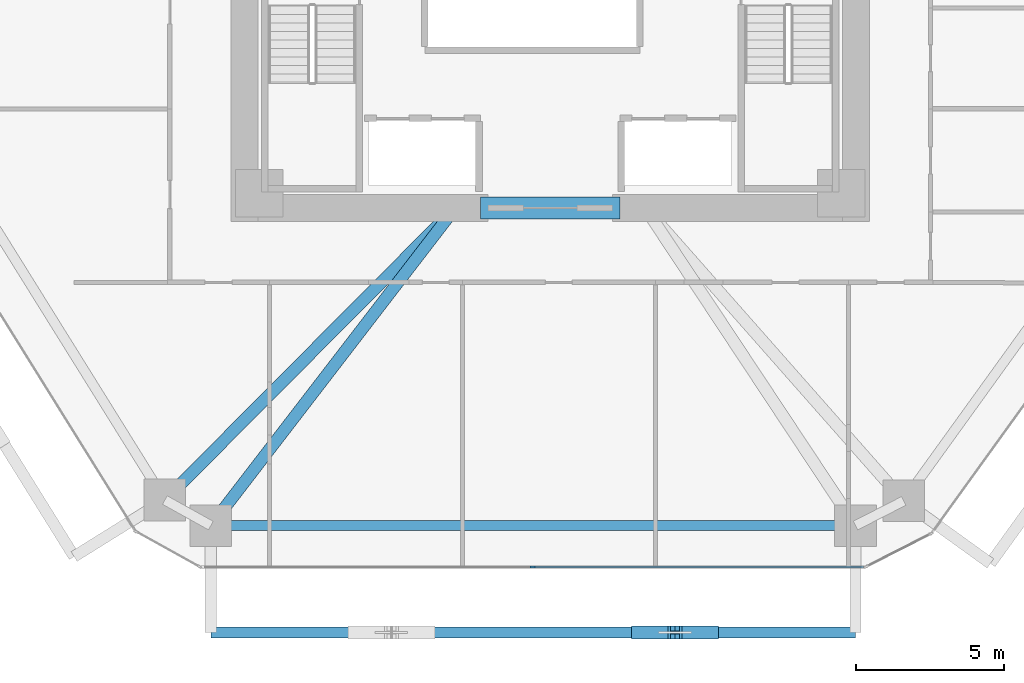
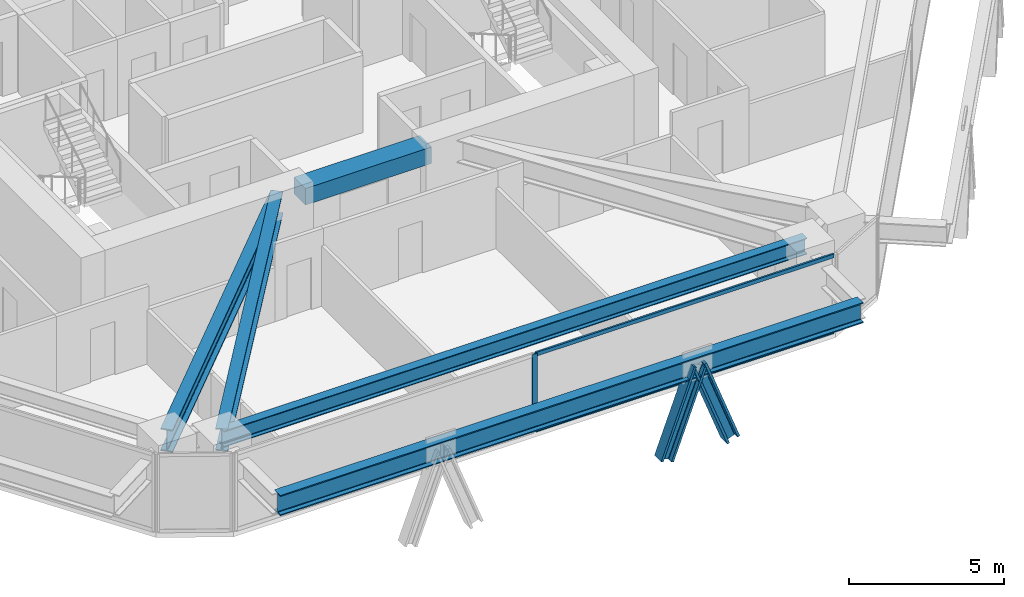
# One storey, part 3 of 17: 5 beams, 5 members, 1 element without a shape of its own.
"""IFC4 building model written with IfcOpenShell, lengths in metres."""

import ifcopenshell
import ifcopenshell.guid

model = None  # the IFC model being written
_history = None  # IfcOwnerHistory: only IFC2X3 demands one
_inside = {}  # id of a spatial element -> (the spatial element, [elements in it])
_under = {}  # id of a project, library or spatial element -> (it, [spatial elements below it])
_declared = {}  # id of a project -> (the project, [libraries it declares])
_typed = {}  # id of a type object -> (the type object, [elements of that type])
_made_of = {}  # id of a material, layer set ... -> (it, [elements and type objects made of it])


def new_model(schema):
    """Start an empty IFC model of exactly this schema.

    Asked for "IFC4X3", IfcOpenShell would pick the latest addendum, in which some entities
    have other attributes; the version numbers below select the first issue.
    IFC2X3 requires an IfcOwnerHistory on every rooted entity: one is made here for all.
    """
    global model, _history
    if schema == "IFC4X3":
        model = ifcopenshell.file(schema_version=(4, 3, 0, 0))
    else:
        model = ifcopenshell.file(schema=schema)
    _inside.clear()
    _under.clear()
    _declared.clear()
    _typed.clear()
    _made_of.clear()
    _history = None
    if model.schema == "IFC2X3":
        org = make("IfcOrganization", Name="unknown")
        user = make(
            "IfcPersonAndOrganization",
            ThePerson=make("IfcPerson", FamilyName="unknown"),
            TheOrganization=org,
        )
        app = make(
            "IfcApplication",
            ApplicationDeveloper=org,
            Version="unknown",
            ApplicationFullName="unknown",
            ApplicationIdentifier="unknown",
        )
        _history = make(
            "IfcOwnerHistory",
            OwningUser=user,
            OwningApplication=app,
            ChangeAction="ADDED",
            CreationDate=0,
        )
    return model


def make(cls, **values):
    """One entity of the class cls with the attributes given. An attribute that is None is left unset."""
    return model.create_entity(
        cls, **{name: value for name, value in values.items() if value is not None}
    )


def rooted(cls, **values):
    """An entity with a GlobalId (a new one), such as an element, a storey or a relation."""
    return make(cls, GlobalId=ifcopenshell.guid.new(), OwnerHistory=_history, **values)


def si_unit(unit_type, name, prefix=None):
    """IfcSIUnit, for example si_unit("LENGTHUNIT", "METRE", prefix="MILLI")."""
    return make("IfcSIUnit", UnitType=unit_type, Prefix=prefix, Name=name)


def assignment(units):
    """IfcUnitAssignment: the units of a project."""
    return None if units is None else make("IfcUnitAssignment", Units=units)


def point(xyz):
    """IfcCartesianPoint."""
    return None if xyz is None else make("IfcCartesianPoint", Coordinates=xyz)


def direction(xyz):
    """IfcDirection."""
    return None if xyz is None else make("IfcDirection", DirectionRatios=xyz)


def frame(location, z_axis=None, x_axis=None):
    """IfcAxis2Placement3D, a coordinate frame: its origin and axes. An axis left out is left unset."""
    return make(
        "IfcAxis2Placement3D",
        Location=point(location),
        Axis=direction(z_axis),
        RefDirection=direction(x_axis),
    )


def frame_2d(location, x_axis=None):
    """IfcAxis2Placement2D, a coordinate frame in the plane: its origin and x axis."""
    return make(
        "IfcAxis2Placement2D", Location=point(location), RefDirection=direction(x_axis)
    )


def origin():
    """The frame at (0, 0, 0) with its axes left unset."""
    return frame((0.0, 0.0, 0.0))


def origin_2d():
    """The frame at (0, 0) in the plane with its x axis left unset."""
    return frame_2d((0.0, 0.0))


def place(relative_to, where):
    """IfcLocalPlacement: puts the frame where relative to a parent placement (None: the world)."""
    return make(
        "IfcLocalPlacement", PlacementRelTo=relative_to, RelativePlacement=where
    )


def context(
    kind, dimensions, precision=None, world=None, true_north=None, identifier=None
):
    """IfcGeometricRepresentationContext, for example the 3D "Model" context."""
    return make(
        "IfcGeometricRepresentationContext",
        ContextIdentifier=identifier,
        ContextType=kind,
        CoordinateSpaceDimension=dimensions,
        Precision=precision,
        WorldCoordinateSystem=world,
        TrueNorth=true_north,
    )


def subcontext(parent, identifier, kind, view, scale=None):
    """IfcGeometricRepresentationSubContext, for example "Body" below "Model"."""
    return make(
        "IfcGeometricRepresentationSubContext",
        ContextIdentifier=identifier,
        ContextType=kind,
        ParentContext=parent,
        TargetScale=scale,
        TargetView=view,
    )


def project(units=None, contexts=None):
    """IfcProject with its units and contexts."""
    return rooted(
        "IfcProject",
        Name="project",
        RepresentationContexts=contexts,
        UnitsInContext=assignment(units),
    )


def spatial(cls, under=None, at=None, **own):
    """A site, building, storey or space (cls), placed at a placement, below another one or the project."""
    s = rooted(cls, ObjectPlacement=at, **own)
    if under is not None:
        _under.setdefault(under.id(), (under, []))[1].append(s)
    return s


def profile(cls, at=None, kind="AREA", **sizes):
    """A parametric profile (cls). Its sizes go by their IFC names, for example OverallWidth=200.0."""
    return make(cls, ProfileType=kind, Position=at, **sizes)


def rectangle(**sizes):
    """IfcRectangleProfileDef."""
    return profile("IfcRectangleProfileDef", **sizes)


def i_section(**sizes):
    """IfcIShapeProfileDef."""
    return profile("IfcIShapeProfileDef", **sizes)


def extrude(swept, where, along, depth):
    """IfcExtrudedAreaSolid: the profile swept, set in the frame where, extruded along a direction by depth."""
    return make(
        "IfcExtrudedAreaSolid",
        SweptArea=swept,
        Position=where,
        ExtrudedDirection=direction(along),
        Depth=depth,
    )


def shape(context_of_items, identifier, shape_type, items):
    """IfcShapeRepresentation: the items that make up one representation, for example the "Body"."""
    return make(
        "IfcShapeRepresentation",
        ContextOfItems=context_of_items,
        RepresentationIdentifier=identifier,
        RepresentationType=shape_type,
        Items=items,
    )


def source(mapping_origin, context_of_items, identifier, shape_type, items):
    """IfcRepresentationMap: a shape defined once, which mapped items show again and again."""
    return make(
        "IfcRepresentationMap",
        MappingOrigin=mapping_origin,
        MappedRepresentation=shape(context_of_items, identifier, shape_type, items),
    )


def transform(
    local_origin,
    x_axis=None,
    y_axis=None,
    z_axis=None,
    scale=None,
    scale2=None,
    scale3=None,
    uniform=True,
):
    """IfcCartesianTransformationOperator3D, or its non-uniform kind. x_axis, y_axis, z_axis: its Axis1, 2, 3."""
    if uniform:
        return make(
            "IfcCartesianTransformationOperator3D",
            Axis1=direction(x_axis),
            Axis2=direction(y_axis),
            LocalOrigin=point(local_origin),
            Scale=scale,
            Axis3=direction(z_axis),
        )
    return make(
        "IfcCartesianTransformationOperator3DnonUniform",
        Axis1=direction(x_axis),
        Axis2=direction(y_axis),
        LocalOrigin=point(local_origin),
        Scale=scale,
        Axis3=direction(z_axis),
        Scale2=scale2,
        Scale3=scale3,
    )


def mapped(mapping_source, mapping_target):
    """IfcMappedItem: shows the shape of a source again, moved by a transform."""
    return make(
        "IfcMappedItem", MappingSource=mapping_source, MappingTarget=mapping_target
    )


def material(Name=None, Category=None):
    """IfcMaterial."""
    return make("IfcMaterial", Name=Name, Category=Category)


def layer(
    of_material, thickness, ventilated=None, Name=None, Category=None, Priority=None
):
    """IfcMaterialLayer: one layer of a wall or slab, of a material (None: an air gap)."""
    return make(
        "IfcMaterialLayer",
        Material=of_material,
        LayerThickness=thickness,
        IsVentilated=ventilated,
        Name=Name,
        Category=Category,
        Priority=Priority,
    )


def layer_set(layers, Name=None):
    """IfcMaterialLayerSet."""
    return make("IfcMaterialLayerSet", MaterialLayers=layers, LayerSetName=Name)


def material_profile(
    of_material, cross_section, Name=None, Category=None, Priority=None
):
    """IfcMaterialProfile: a cross section and its material."""
    return make(
        "IfcMaterialProfile",
        Name=Name,
        Material=of_material,
        Profile=cross_section,
        Priority=Priority,
        Category=Category,
    )


def profile_set(profiles, Name=None, composite=None):
    """IfcMaterialProfileSet."""
    return make(
        "IfcMaterialProfileSet",
        Name=Name,
        MaterialProfiles=profiles,
        CompositeProfile=composite,
    )


def made_of(thing, what):
    """Note that an element or type object is made of a material, layer set ...; save() writes the relation."""
    if what is not None:
        _made_of.setdefault(what.id(), (what, []))[1].append(thing)
    return thing


def type_object(cls, material=None, **own):
    """A type object (cls), such as IfcWallType, which elements share."""
    return made_of(rooted(cls, **own), material)


def type_shapes(of_type, sources):
    """Give a type object the sources (RepresentationMaps) that its elements show as mapped items."""
    of_type.RepresentationMaps = sources


def element(
    cls,
    number,
    at=None,
    inside=None,
    cuts=None,
    type_object=None,
    material=None,
    context=None,
    identifier="Body",
    shape_type=None,
    held_by="IfcProductDefinitionShape",
    body=None,
    shapes=None,
    **own,
):
    """One element of the class cls, such as IfcWall. Its Tag is "e" and its number.

    at: its placement. inside: the storey or other place that contains it. cuts: it is an
    opening in that element (IfcRelVoidsElement). A single representation is given by context,
    identifier, shape_type and body (its items); several are given by shapes. held_by: the class
    of the entity that holds the representations. save() writes the other relations.
    """
    e = rooted(cls, Tag="e%d" % number, ObjectPlacement=at, **own)
    if body is not None:
        shapes = [shape(context, identifier, shape_type, body)]
    if shapes is not None:
        e.Representation = make(held_by, Representations=shapes)
    if inside is not None:
        _inside.setdefault(inside.id(), (inside, []))[1].append(e)
    if cuts is not None:
        rooted(
            "IfcRelVoidsElement", RelatingBuildingElement=cuts, RelatedOpeningElement=e
        )
    if type_object is not None:
        _typed.setdefault(type_object.id(), (type_object, []))[1].append(e)
    return made_of(e, material)


def aggregate(whole, parts):
    """IfcRelAggregates: a whole, such as a stair, and the parts it consists of."""
    return rooted("IfcRelAggregates", RelatingObject=whole, RelatedObjects=parts)


def save(model, path):
    """Write the relations noted so far, then the file.

    IfcRelAggregates (storeys below a building ...), IfcRelContainedInSpatialStructure (elements
    in a storey), IfcRelDefinesByType, IfcRelAssociatesMaterial and IfcRelDeclares: one each for
    every whole, place, type object, material and project.
    """
    for whole, parts in _under.values():
        aggregate(whole, parts)
    for where, things in _inside.values():
        rooted(
            "IfcRelContainedInSpatialStructure",
            RelatedElements=things,
            RelatingStructure=where,
        )
    for kind, things in _typed.values():
        rooted("IfcRelDefinesByType", RelatedObjects=things, RelatingType=kind)
    for what, things in _made_of.values():
        rooted("IfcRelAssociatesMaterial", RelatedObjects=things, RelatingMaterial=what)
    for by, libraries in _declared.values():
        rooted("IfcRelDeclares", RelatingContext=by, RelatedDefinitions=libraries)
    model.write(path)


model = new_model("IFC4")

# Units and contexts
model_context = context("Model", 3, precision=1e-05, world=origin(), true_north=direction((0.0, 1.0)))
body_context = subcontext(model_context, "Body", "Model", "MODEL_VIEW")
ifc_project = project(units=[si_unit("LENGTHUNIT", "METRE"), si_unit("AREAUNIT", "SQUARE_METRE"), si_unit("VOLUMEUNIT", "CUBIC_METRE"), si_unit("PLANEANGLEUNIT", "RADIAN"), si_unit("MASSUNIT", "GRAM", prefix="KILO")], contexts=[model_context])

# Site, building, storey
site_placement = place(None, origin())
site = spatial("IfcSite", under=ifc_project, at=site_placement, CompositionType="ELEMENT")
building_placement = place(site_placement, origin())
building = spatial("IfcBuilding", under=site, at=building_placement, Name="Durnholm Broadcast Tower", CompositionType="ELEMENT")
storey_placement = place(building_placement, frame((0.0, 0.0, 39.0)))
storey = spatial("IfcBuildingStorey", under=building, at=storey_placement, Name="L08", CompositionType="ELEMENT", Elevation=39.0)

# Beams
ifc_material_1 = material(Name="Concrete C70/85", Category="concrete")
ifc_material_profile_1 = material_profile(ifc_material_1, rectangle(XDim=0.75, YDim=0.64990234375, at=origin_2d()), Name="RC750X650")
ifc_profile_set_1 = profile_set([ifc_material_profile_1], Name="Concrete C70/85")
beam_type_1 = type_object("IfcBeamType", Name="BM-CB-RC650", PredefinedType="LINTEL", material=ifc_profile_set_1)
shared_shape_1 = source(origin(), body_context, "Body", "SweptSolid", [
    extrude(rectangle(XDim=0.75, YDim=0.64990234375, at=origin_2d()), origin(), (0.0, 0.0, 1.0), 4.7001953125),
])
type_shapes(beam_type_1, [shared_shape_1])
beam_1_placement = place(storey_placement, frame((-2.35009765625, -8.300048828125, 2.72998046875), z_axis=(1.0, 0.0, 0.0), x_axis=(0.0, 1.0, 0.0)))
element("IfcBeam", 1, at=beam_1_placement, inside=storey, type_object=beam_type_1, Name="L08 south core coupling lintel beam CB-S", PredefinedType="LINTEL", context=body_context, shape_type="MappedRepresentation", body=[
    mapped(shared_shape_1, transform((0.0, 0.0, 0.0), x_axis=(1.0, 0.0, 0.0), y_axis=(0.0, 1.0, 0.0), z_axis=(0.0, 0.0, 1.0), scale=1.0)),
])
ifc_material_2 = material(Name="Steel ASTM A992 Grade 50", Category="steel")
ifc_material_profile_2 = material_profile(ifc_material_2, i_section(OverallWidth=0.3291015625, OverallDepth=0.635009765625, WebThickness=0.017822265625, FlangeThickness=0.031005859375, FilletRadius=0.02783203125, at=origin_2d()), Name="W24X162")
ifc_profile_set_2 = profile_set([ifc_material_profile_2], Name="Steel ASTM A992 Grade 50")
beam_type_2 = type_object("IfcBeamType", Name="STL-SP-W24X162", PredefinedType="SPANDREL", material=ifc_profile_set_2)
shared_shape_2 = source(origin(), body_context, "Body", "SweptSolid", [
    extrude(i_section(OverallWidth=0.3291015625, OverallDepth=0.635009765625, WebThickness=0.017822265625, FlangeThickness=0.031005859375, FilletRadius=0.02783203125, at=origin_2d()), origin(), (0.0, 0.0, 1.0), 21.7138671875),
])
type_shapes(beam_type_2, [shared_shape_2])
beam_2_placement = place(storey_placement, frame((10.28271484375, -19.0, 2.7275390625), z_axis=(-1.0, 0.0, 0.0), x_axis=(0.0, -1.0, 0.0)))
element("IfcBeam", 2, at=beam_2_placement, inside=storey, type_object=beam_type_2, Name="L08 perimeter spandrel girder 11", PredefinedType="SPANDREL", context=body_context, shape_type="MappedRepresentation", body=[
    mapped(shared_shape_2, transform((0.0, 0.0, 0.0), x_axis=(1.0, 0.0, 0.0), y_axis=(0.0, 1.0, 0.0), z_axis=(0.0, 0.0, 1.0), scale=1.0)),
])
ifc_material_profile_3 = material_profile(ifc_material_2, i_section(OverallWidth=0.404052734375, OverallDepth=0.885009765625, WebThickness=0.0244140625, FlangeThickness=0.0439453125, FilletRadius=0.03564453125, at=origin_2d()), Name="W33X291")
ifc_profile_set_3 = profile_set([ifc_material_profile_3], Name="Steel ASTM A992 Grade 50")
beam_type_3 = type_object("IfcBeamType", Name="STL-GR-W33X291", PredefinedType="USERDEFINED", material=ifc_profile_set_3)
shared_shape_3 = source(origin(), body_context, "Body", "SweptSolid", [
    extrude(i_section(OverallWidth=0.404052734375, OverallDepth=0.885009765625, WebThickness=0.0244140625, FlangeThickness=0.0439453125, FilletRadius=0.03564453125, at=origin_2d()), origin(), (0.0, 0.0, 1.0), 13.874267578125),
])
beam_3_placement = place(storey_placement, frame((-3.199951171875, -8.300048828125, 2.6025390625), z_axis=(-0.705097917174, -0.709109954237, 0.0), x_axis=(0.709109954237, -0.705097917174, 0.0)))
element("IfcBeam", 3, at=beam_3_placement, inside=storey, type_object=beam_type_3, Name="L08 radial primary floor girder 01", ObjectType="GIRDER", PredefinedType="USERDEFINED", context=body_context, shape_type="MappedRepresentation", body=[
    mapped(shared_shape_3, transform((0.0, 0.0, 0.0), x_axis=(1.0, 0.0, 0.0), y_axis=(0.0, 1.0, 0.0), z_axis=(0.0, 0.0, 1.0), scale=1.0)),
])
shared_shape_4 = source(origin(), body_context, "Body", "SweptSolid", [
    extrude(i_section(OverallWidth=0.404052734375, OverallDepth=0.885009765625, WebThickness=0.0244140625, FlangeThickness=0.0439453125, FilletRadius=0.03564453125, at=origin_2d()), origin(), (0.0, 0.0, 1.0), 13.499755859375),
])
type_shapes(beam_type_3, [shared_shape_3, shared_shape_4])
beam_4_placement = place(storey_placement, frame((-3.199951171875, -8.300048828125, 2.6025390625), z_axis=(-0.609732610412, -0.79260718127, 0.0), x_axis=(0.79260718127, -0.609732610412, 0.0)))
element("IfcBeam", 4, at=beam_4_placement, inside=storey, type_object=beam_type_3, Name="L08 radial primary floor girder 12", ObjectType="GIRDER", PredefinedType="USERDEFINED", context=body_context, shape_type="MappedRepresentation", body=[
    mapped(shared_shape_4, transform((0.0, 0.0, 0.0), x_axis=(1.0, 0.0, 0.0), y_axis=(0.0, 1.0, 0.0), z_axis=(0.0, 0.0, 1.0), scale=1.0)),
])
ifc_material_profile_4 = material_profile(ifc_material_2, i_section(OverallWidth=0.385009765625, OverallDepth=0.802978515625, WebThickness=0.023681640625, FlangeThickness=0.0419921875, FilletRadius=0.032958984375, at=origin_2d()), Name="W30X261")
ifc_profile_set_4 = profile_set([ifc_material_profile_4], Name="Steel ASTM A992 Grade 50")
beam_type_4 = type_object("IfcBeamType", Name="BM-EXO-TIE", PredefinedType="USERDEFINED", material=ifc_profile_set_4)
shared_shape_5 = source(origin(), body_context, "Body", "SweptSolid", [
    extrude(i_section(OverallWidth=0.385009765625, OverallDepth=0.802978515625, WebThickness=0.023681640625, FlangeThickness=0.0419921875, FilletRadius=0.032958984375, at=origin_2d()), origin(), (0.0, 0.0, 1.0), 21.7138671875),
])
type_shapes(beam_type_4, [shared_shape_5])
beam_5_placement = place(storey_placement, frame((-11.43115234375, -22.60009765625, 2.30859375), z_axis=(1.0, 0.0, 0.0), x_axis=(0.0, 1.0, 0.0)))
element("IfcBeam", 5, at=beam_5_placement, inside=storey, type_object=beam_type_4, Name="L08 exoskeleton collector spandrel F1", PredefinedType="SPANDREL", context=body_context, shape_type="MappedRepresentation", body=[
    mapped(shared_shape_5, transform((0.0, 0.0, 0.0), x_axis=(1.0, 0.0, 0.0), y_axis=(0.0, 1.0, 0.0), z_axis=(0.0, 0.0, 1.0), scale=1.0)),
])

# Members
ifc_material_3 = material(Name="Steel ASTM A913 Grade 65", Category="steel")
ifc_material_profile_5 = material_profile(ifc_material_3, i_section(OverallWidth=0.43212890625, OverallDepth=0.497802734375, WebThickness=0.0556640625, FlangeThickness=0.0888671875, FilletRadius=0.030517578125, at=origin_2d()), Name="W14X500")
ifc_profile_set_5 = profile_set([ifc_material_profile_5], Name="Steel ASTM A913 Grade 65")
member_type_1 = type_object("IfcMemberType", Name="STL-DG-W14X500", PredefinedType="BRACE", material=ifc_profile_set_5)
shared_shape_6 = source(origin(), body_context, "Body", "SweptSolid", [
    extrude(i_section(OverallWidth=0.43212890625, OverallDepth=0.497802734375, WebThickness=0.0556640625, FlangeThickness=0.0888671875, FilletRadius=0.030517578125, at=origin_2d()), origin(), (0.0, 0.0, 1.0), 3.523193359375),
])
type_shapes(member_type_1, [shared_shape_6])
for number, where, z_axis, x_axis, name in (
    (6, (2.968994140625, -22.60009765625, -0.991455078125), (0.350219588454, 0.0, 0.936667625075), (0.0, 1.0, 0.0), "L08 stand-off diagrid brace F1.D2.1"),
    (7, (5.436767578125, -22.60009765625, -0.991455078125), (-0.350219588454, 0.0, 0.936667625075), (0.0, -1.0, 0.0), "L08 stand-off diagrid brace F1.D2.2"),
):
    element("IfcMember", number, at=place(storey_placement, frame(where, z_axis=z_axis, x_axis=x_axis)), inside=storey, type_object=member_type_1, Name=name, PredefinedType="BRACE", context=body_context, shape_type="MappedRepresentation", body=[
        mapped(shared_shape_6, transform((0.0, 0.0, 0.0), x_axis=(1.0, 0.0, 0.0), y_axis=(0.0, 1.0, 0.0), z_axis=(0.0, 0.0, 1.0), scale=1.0)),
    ])

# Curtain wall, members
ifc_material_4 = material(Name="Aluminium and Solar Control IGU", Category="aluminium")
ifc_layer = layer(ifc_material_4, 0.18994140625)
ifc_layer_set = layer_set([ifc_layer], Name="Aluminium and Solar Control IGU")
curtain_wall_type = type_object("IfcCurtainWallType", Name="CW-SYS-3", PredefinedType="NOTDEFINED", material=ifc_layer_set)
curtain_wall_placement = place(storey_placement, origin())
curtain_wall = element("IfcCurtainWall", 8, at=curtain_wall_placement, inside=storey, type_object=curtain_wall_type, Name="L08 curtain wall CW-Z12-VIS CW-L08-F10", PredefinedType="NOTDEFINED")
ifc_material_5 = material(Name="Aluminium 6063-T6", Category="aluminium")
ifc_material_profile_6 = material_profile(ifc_material_5, rectangle(XDim=0.070068359375, YDim=0.18994140625, at=origin_2d()), Name="CWM70X190")
ifc_profile_set_6 = profile_set([ifc_material_profile_6], Name="Aluminium 6063-T6")
member_type_2 = type_object("IfcMemberType", Name="CW-SYS-3-MUL", PredefinedType="MULLION", material=ifc_profile_set_6)
shared_shape_7 = source(origin(), body_context, "Body", "SweptSolid", [
    extrude(rectangle(XDim=0.070068359375, YDim=0.18994140625, at=origin_2d()), origin(), (0.0, 0.0, 1.0), 3.06005859375),
])
type_shapes(member_type_2, [shared_shape_7])
member_1_placement = place(storey_placement, frame((-0.5869140625, -20.39990234375, 0.0), z_axis=(0.0, 0.0, 1.0), x_axis=(0.0, -1.0, 0.0)))
member_1 = element("IfcMember", 9, at=member_1_placement, type_object=member_type_2, Name="CW-Z12-VIS mullion 2", PredefinedType="MULLION", context=body_context, shape_type="MappedRepresentation", body=[
    mapped(shared_shape_7, transform((0.0, 0.0, 0.0), x_axis=(1.0, 0.0, 0.0), y_axis=(0.0, 1.0, 0.0), z_axis=(0.0, 0.0, 1.0), scale=1.0)),
])
ifc_material_profile_7 = material_profile(ifc_material_5, rectangle(XDim=0.070068359375, YDim=0.14990234375, at=origin_2d()), Name="CWT70X150")
ifc_profile_set_7 = profile_set([ifc_material_profile_7], Name="Aluminium 6063-T6")
member_type_3 = type_object("IfcMemberType", Name="CW-SYS-3-TRN", PredefinedType="USERDEFINED", material=ifc_profile_set_7)
shared_shape_8 = source(origin(), body_context, "Body", "SweptSolid", [
    extrude(rectangle(XDim=0.070068359375, YDim=0.14990234375, at=origin_2d()), origin(), (0.0, 0.0, 1.0), 11.10205078125),
])
type_shapes(member_type_3, [shared_shape_8])
member_2_placement = place(storey_placement, frame((10.55029296875, -20.39990234375, 0.034912109375), z_axis=(-1.0, 0.0, 0.0), x_axis=(0.0, -1.0, 0.0)))
member_2 = element("IfcMember", 10, at=member_2_placement, type_object=member_type_3, Name="CW-Z12-VIS transom 1.1", ObjectType="TRANSOM", PredefinedType="USERDEFINED", context=body_context, shape_type="MappedRepresentation", body=[
    mapped(shared_shape_8, transform((0.0, 0.0, 0.0), x_axis=(1.0, 0.0, 0.0), y_axis=(0.0, 1.0, 0.0), z_axis=(0.0, 0.0, 1.0), scale=1.0)),
])
member_3_placement = place(storey_placement, frame((10.55029296875, -20.39990234375, 3.02490234375), z_axis=(-1.0, 0.0, 0.0), x_axis=(0.0, -1.0, 0.0)))
member_3 = element("IfcMember", 11, at=member_3_placement, type_object=member_type_3, Name="CW-Z12-VIS transom 1.2", ObjectType="TRANSOM", PredefinedType="USERDEFINED", context=body_context, shape_type="MappedRepresentation", body=[
    mapped(shared_shape_8, transform((0.0, 0.0, 0.0), x_axis=(1.0, 0.0, 0.0), y_axis=(0.0, 1.0, 0.0), z_axis=(0.0, 0.0, 1.0), scale=1.0)),
])
aggregate(curtain_wall, [member_1, member_2, member_3])

save(model, "model.ifc")
